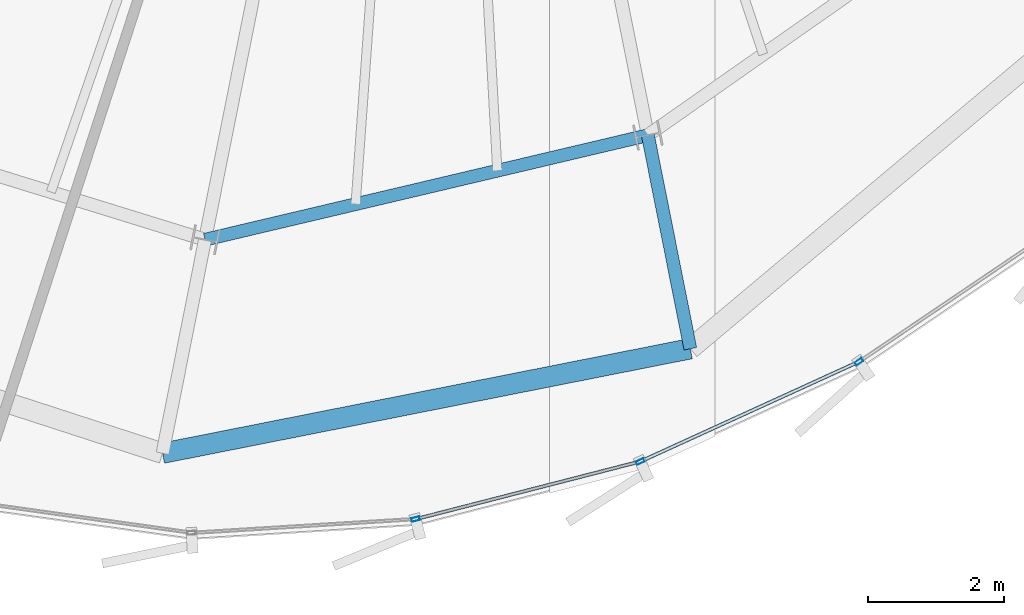
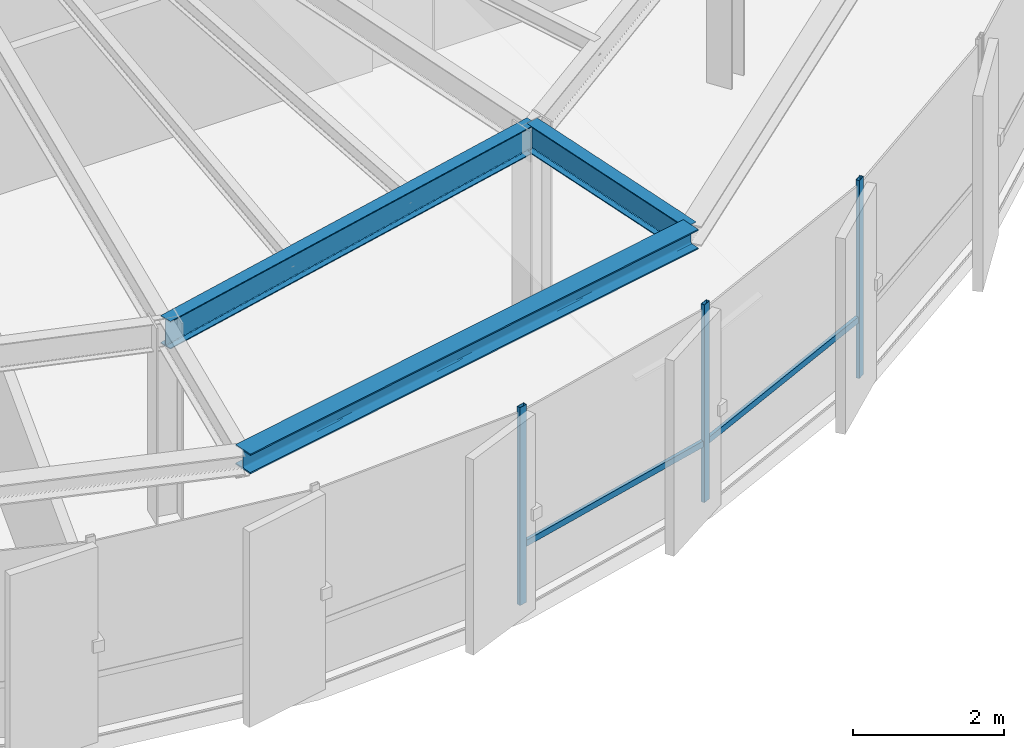
# One storey, part 7 of 31: 5 members, 3 beams, 1 element without a shape of its own.
"""IFC4 building model written with IfcOpenShell, lengths in metres."""

from ifc_helpers import new_model, si_unit, direction, frame, origin, origin_2d, place, context, subcontext, project, spatial, hollow_rectangle, i_section, extrude, source, transform, mapped, material, layer, layer_set, material_profile, profile_set, type_object, element, aggregate, save


model = new_model("IFC4")

# Units and contexts
model_context = context("Model", 3, precision=1e-05, world=origin(), true_north=direction((0.0, 1.0)))
body_context = subcontext(model_context, "Body", "Model", "MODEL_VIEW")
ifc_project = project(units=[si_unit("LENGTHUNIT", "METRE"), si_unit("AREAUNIT", "SQUARE_METRE"), si_unit("VOLUMEUNIT", "CUBIC_METRE"), si_unit("PLANEANGLEUNIT", "RADIAN"), si_unit("MASSUNIT", "GRAM", prefix="KILO"), si_unit("THERMODYNAMICTEMPERATUREUNIT", "KELVIN")], contexts=[model_context])

# Site, building, storey
site_placement = place(None, origin())
site = spatial("IfcSite", under=ifc_project, at=site_placement, CompositionType="ELEMENT")
building_placement = place(site_placement, origin())
building = spatial("IfcBuilding", under=site, at=building_placement, Name="Kethvar Cultural Tower", CompositionType="ELEMENT")
storey_placement = place(building_placement, frame((0.0, 0.0, 290.5)))
storey = spatial("IfcBuildingStorey", under=building, at=storey_placement, Name="L77", CompositionType="ELEMENT", Elevation=290.5)

# Beams
ifc_material_1 = material(Name="Steel S355J2", Category="steel")
ifc_material_profile_1 = material_profile(ifc_material_1, i_section(OverallWidth=0.18994140625, OverallDepth=0.449951171875, WebThickness=0.009521484375, FlangeThickness=0.0146484375, FilletRadius=0.02099609375, at=origin_2d()), Name="Steel S355J2 — IPE450")
ifc_profile_set_1 = profile_set([ifc_material_profile_1], Name="Steel S355J2 — IPE450")
beam_type_1 = type_object("IfcBeamType", Name="BM-IPE450", PredefinedType="BEAM", material=ifc_profile_set_1)
shared_shape_1 = source(origin(), body_context, "Body", "SweptSolid", [
    extrude(i_section(OverallWidth=0.18994140625, OverallDepth=0.449951171875, WebThickness=0.009521484375, FlangeThickness=0.0146484375, FilletRadius=0.02099609375, at=origin_2d()), origin(), (0.0, 0.0, 1.0), 3.199951171875),
])
beam_1_placement = place(storey_placement, frame((49.901611328125, 12.206787109375, 2.98291015625), z_axis=(0.195088965533, -0.980785550224, 0.0), x_axis=(0.980785550224, 0.195088965533, 0.0)))
element("IfcBeam", 1, at=beam_1_placement, inside=storey, type_object=beam_type_1, Name="L77 Perimeter Cantilever Beam RC-13", PredefinedType="BEAM", context=body_context, shape_type="MappedRepresentation", body=[
    mapped(shared_shape_1, transform((0.0, 0.0, 0.0), scale=1.0)),
])
shared_shape_2 = source(origin(), body_context, "Body", "SweptSolid", [
    extrude(i_section(OverallWidth=0.18994140625, OverallDepth=0.449951171875, WebThickness=0.009521484375, FlangeThickness=0.0146484375, FilletRadius=0.02099609375, at=origin_2d()), origin(), (0.0, 0.0, 1.0), 6.6875),
])
beam_2_placement = place(storey_placement, frame((43.392822265625, 10.67138671875, 2.98291015625), z_axis=(0.973286301494, 0.22959480683, 0.0), x_axis=(-0.22959480683, 0.973286301494, 0.0)))
element("IfcBeam", 2, at=beam_2_placement, inside=storey, type_object=beam_type_1, Name="L77 Column Ring Tie Beam CR-12", PredefinedType="BEAM", context=body_context, shape_type="MappedRepresentation", body=[
    mapped(shared_shape_2, transform((0.0, 0.0, 0.0), scale=1.0)),
])
ifc_material_profile_2 = material_profile(ifc_material_1, i_section(OverallWidth=0.300048828125, OverallDepth=0.320068359375, WebThickness=0.011474609375, FlangeThickness=0.0205078125, FilletRadius=0.027099609375, at=origin_2d()), Name="Steel S355J2 — HEB320")
ifc_profile_set_2 = profile_set([ifc_material_profile_2], Name="Steel S355J2 — HEB320")
beam_type_2 = type_object("IfcBeamType", Name="BM-SP320", PredefinedType="SPANDREL", material=ifc_profile_set_2)
shared_shape_3 = source(origin(), body_context, "Body", "SweptSolid", [
    extrude(i_section(OverallWidth=0.300048828125, OverallDepth=0.320068359375, WebThickness=0.011474609375, FlangeThickness=0.0205078125, FilletRadius=0.027099609375, at=origin_2d()), origin(), (0.0, 0.0, 1.0), 7.907958984375),
])
beam_3_placement = place(storey_placement, frame((42.7685546875, 7.53271484375, 3.048095703125), z_axis=(0.980963515828, 0.194192122948, 0.0), x_axis=(-0.194192122948, 0.980963515828, 0.0)))
element("IfcBeam", 3, at=beam_3_placement, inside=storey, type_object=beam_type_2, Name="L77 Perimeter Spandrel Beam SP-12", PredefinedType="SPANDREL", context=body_context, shape_type="MappedRepresentation", body=[
    mapped(shared_shape_3, transform((0.0, 0.0, 0.0), scale=1.0)),
])

# Curtain wall, members
ifc_material_2 = material(Name="Aluminium 6063-T6", Category="aluminium")
ifc_layer = layer(ifc_material_2, 0.179931640625, Name="Aluminium 6063-T6", Category="aluminium")
ifc_layer_set = layer_set([ifc_layer], Name="Aluminium 6063-T6 (180 mm)")
curtain_wall_type = type_object("IfcCurtainWallType", Name="CW-SYS-05-Z56", PredefinedType="NOTDEFINED", material=ifc_layer_set)
curtain_wall_placement = place(storey_placement, origin())
curtain_wall = element("IfcCurtainWall", 4, at=curtain_wall_placement, inside=storey, type_object=curtain_wall_type, Name="L77 Curtain Wall Run 04", PredefinedType="NOTDEFINED")
ifc_material_profile_3 = material_profile(ifc_material_2, hollow_rectangle(XDim=0.054931640625, YDim=0.1201171875, WallThickness=0.00390625, at=origin_2d()), Name="Aluminium 6063-T6 — RHS120x55x4")
ifc_profile_set_3 = profile_set([ifc_material_profile_3], Name="Aluminium 6063-T6 — RHS120x55x4")
member_type_1 = type_object("IfcMemberType", Name="CW-SYS-05-Z56-MUL", PredefinedType="MULLION", material=ifc_profile_set_3)
shared_shape_4 = source(origin(), body_context, "Body", "SweptSolid", [
    extrude(hollow_rectangle(XDim=0.054931640625, YDim=0.1201171875, WallThickness=0.00390625, at=origin_2d()), origin(), (0.0, 0.0, 1.0), 3.2099609375),
])
member_1_placement = place(storey_placement, frame((46.48779296875, 6.563720703125, 0.0), z_axis=(0.0, 0.0, 1.0), x_axis=(-0.24875750642, 0.968565796939, 0.0)))
member_1 = element("IfcMember", 5, at=member_1_placement, type_object=member_type_1, Name="CW-L77-R04 Mullion 4", PredefinedType="MULLION", context=body_context, shape_type="MappedRepresentation", body=[
    mapped(shared_shape_4, transform((0.0, 0.0, 0.0), scale=1.0)),
])
member_2_placement = place(storey_placement, frame((49.791015625, 7.410400390625, 0.0), z_axis=(0.0, 0.0, 1.0), x_axis=(-0.415566551572, 0.909562774752, 0.0)))
member_2 = element("IfcMember", 6, at=member_2_placement, type_object=member_type_1, Name="CW-L77-R04 Mullion 5", PredefinedType="MULLION", context=body_context, shape_type="MappedRepresentation", body=[
    mapped(shared_shape_4, transform((0.0, 0.0, 0.0), scale=1.0)),
])
member_3_placement = place(storey_placement, frame((53.004638671875, 8.877197265625, 0.0), z_axis=(0.0, 0.0, 1.0), x_axis=(-0.559829393671, 0.828607898817, 0.0)))
member_3 = element("IfcMember", 7, at=member_3_placement, type_object=member_type_1, Name="CW-L77-R04 Mullion 6", PredefinedType="MULLION", context=body_context, shape_type="MappedRepresentation", body=[
    mapped(shared_shape_4, transform((0.0, 0.0, 0.0), scale=1.0)),
])
ifc_material_profile_4 = material_profile(ifc_material_2, hollow_rectangle(XDim=0.050048828125, YDim=0.10009765625, WallThickness=0.00390625, at=origin_2d()), Name="Aluminium 6063-T6 — RHS100x50x4")
ifc_profile_set_4 = profile_set([ifc_material_profile_4], Name="Aluminium 6063-T6 — RHS100x50x4")
member_type_2 = type_object("IfcMemberType", Name="CW-SYS-05-Z56-TRN", PredefinedType="USERDEFINED", material=ifc_profile_set_4)
shared_shape_5 = source(origin(), body_context, "Body", "SweptSolid", [
    extrude(hollow_rectangle(XDim=0.050048828125, YDim=0.10009765625, WallThickness=0.00390625, at=origin_2d()), origin(), (0.0, 0.0, 1.0), 3.4697265625),
])
member_4_placement = place(storey_placement, frame((49.8271484375, 7.427001953125, 0.949951171875), z_axis=(0.909567191829, 0.41555688365, 0.0), x_axis=(-0.41555688365, 0.909567191829, 0.0)))
member_4 = element("IfcMember", 8, at=member_4_placement, type_object=member_type_2, Name="CW-L77-R04 Transom 5", ObjectType="TRANSOM", PredefinedType="USERDEFINED", context=body_context, shape_type="MappedRepresentation", body=[
    mapped(shared_shape_5, transform((0.0, 0.0, 0.0), scale=1.0)),
])
shared_shape_6 = source(origin(), body_context, "Body", "SweptSolid", [
    extrude(hollow_rectangle(XDim=0.050048828125, YDim=0.10009765625, WallThickness=0.00390625, at=origin_2d()), origin(), (0.0, 0.0, 1.0), 3.3486328125),
])
member_5_placement = place(storey_placement, frame((46.526123046875, 6.573486328125, 0.949951171875), z_axis=(0.968565742052, 0.248757720127, 0.0), x_axis=(-0.248757720127, 0.968565742052, 0.0)))
member_5 = element("IfcMember", 9, at=member_5_placement, type_object=member_type_2, Name="CW-L77-R04 Transom 4", ObjectType="TRANSOM", PredefinedType="USERDEFINED", context=body_context, shape_type="MappedRepresentation", body=[
    mapped(shared_shape_6, transform((0.0, 0.0, 0.0), scale=1.0)),
])
aggregate(curtain_wall, [member_1, member_2, member_3, member_5, member_4])

save(model, "model.ifc")
